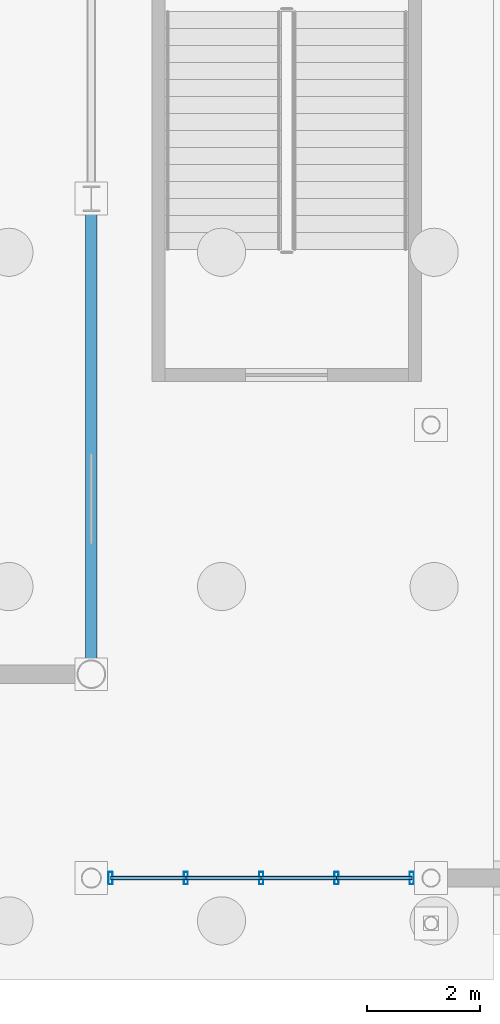
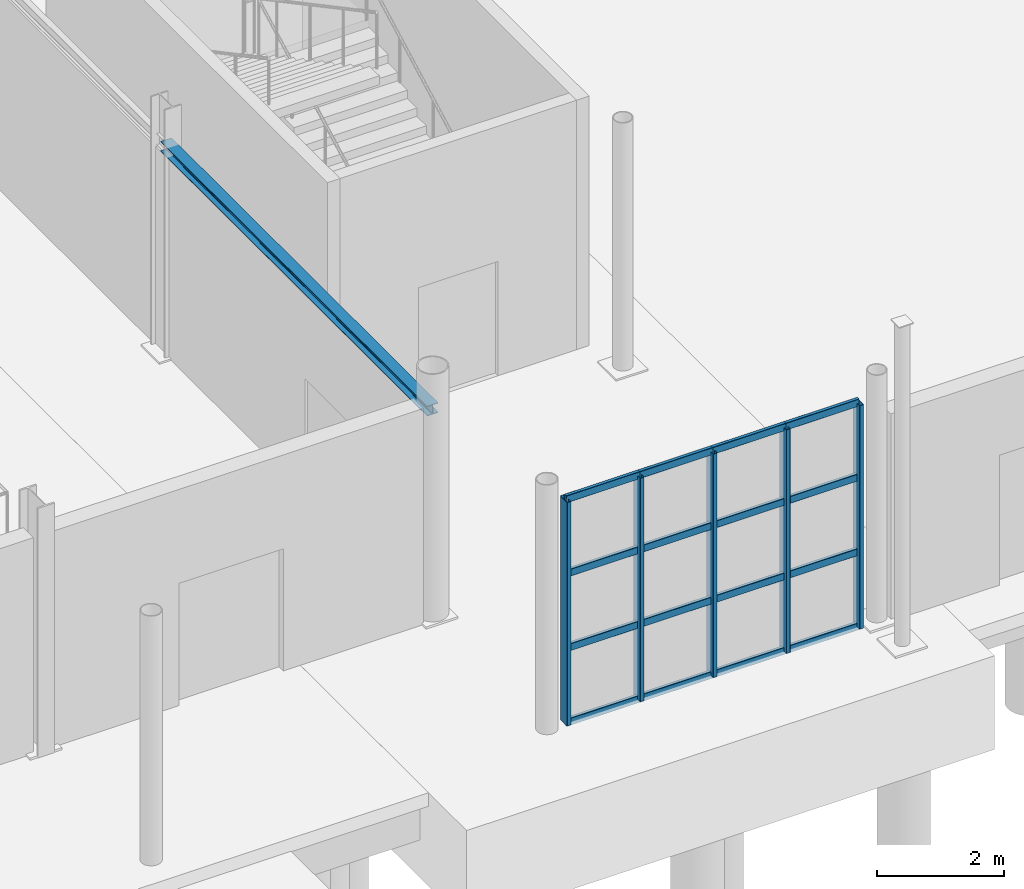
# One storey, part 31 of 101: 21 members, 1 beam, 1 element without a shape of its own.
"""IFC4 building model written with IfcOpenShell, lengths in metres."""

from ifc_helpers import new_model, si_unit, derived_unit, direction, frame, origin, origin_2d, place, context, subcontext, project, spatial, hollow_rectangle, i_section, extrude, material, material_profile, profile_set, type_object, element, aggregate, save


model = new_model("IFC4")

# Units and contexts
model_context = context("Model", 3, precision=1e-05, world=origin(), true_north=direction((0.0, 1.0)))
body_context = subcontext(model_context, "Body", "Model", "MODEL_VIEW")
ifc_project = project(units=[si_unit("LENGTHUNIT", "METRE"), si_unit("AREAUNIT", "SQUARE_METRE"), si_unit("VOLUMEUNIT", "CUBIC_METRE"), si_unit("PLANEANGLEUNIT", "RADIAN"), si_unit("MASSUNIT", "GRAM", prefix="KILO"), derived_unit("THERMALTRANSMITTANCEUNIT", [(si_unit("POWERUNIT", "WATT"), 1), (si_unit("LENGTHUNIT", "METRE"), -2), (si_unit("THERMODYNAMICTEMPERATUREUNIT", "KELVIN"), -1)])], contexts=[model_context])

# Site, building, storey
site_placement = place(None, origin())
site = spatial("IfcSite", under=ifc_project, at=site_placement, CompositionType="ELEMENT")
building_placement = place(site_placement, origin())
building = spatial("IfcBuilding", under=site, at=building_placement, Name="Keldorne Ridge Multi-Sports Centre", CompositionType="ELEMENT")
storey_placement = place(building_placement, origin())
storey = spatial("IfcBuildingStorey", under=building, at=storey_placement, Name="L00", CompositionType="ELEMENT", Elevation=0.0)

# Beam
ifc_material_1 = material(Name="Steel S355", Category="steel")
ifc_material_profile_1 = material_profile(ifc_material_1, i_section(OverallWidth=0.199951171875, OverallDepth=0.18994140625, WebThickness=0.006591796875, FlangeThickness=0.010009765625, FilletRadius=0.01806640625, at=origin_2d()), Name="HEA 200")
ifc_profile_set_1 = profile_set([ifc_material_profile_1], Name="Steel S355")
beam_type = type_object("IfcBeamType", Name="BM-LN-01", PredefinedType="LINTEL", material=ifc_profile_set_1)
beam_placement = place(storey_placement, frame((78.0, 9.60009765625, 3.949951171875), z_axis=(0.0, 1.0, 0.0), x_axis=(-1.0, 0.0, 0.0)))
element("IfcBeam", 1, at=beam_placement, inside=storey, type_object=beam_type, Name="Opening head lintel beam LNT-01", PredefinedType="LINTEL", context=body_context, shape_type="SweptSolid", body=[
    extrude(i_section(OverallWidth=0.199951171875, OverallDepth=0.18994140625, WebThickness=0.006591796875, FlangeThickness=0.010009765625, FilletRadius=0.01806640625, at=origin_2d()), origin(), (0.0, 0.0, 1.0), 8.39990234375),
])

# Curtain wall, members
ifc_material_2 = material(Name="Anodized aluminium", Category="aluminium")
curtain_wall_type = type_object("IfcCurtainWallType", Name="CW-CW-01", PredefinedType="NOTDEFINED", material=ifc_material_2)
curtain_wall_placement = place(storey_placement, origin())
curtain_wall = element("IfcCurtainWall", 2, at=curtain_wall_placement, inside=storey, type_object=curtain_wall_type, Name="Public Passage S foyer glazing 073", PredefinedType="NOTDEFINED")
ifc_material_profile_2 = material_profile(ifc_material_2, hollow_rectangle(XDim=0.074951171875, YDim=0.219970703125, WallThickness=0.0048828125, InnerFilletRadius=0.0048828125, OuterFilletRadius=0.010009765625, at=origin_2d()), Name="ALU MULLION 220x75x5")
ifc_profile_set_2 = profile_set([ifc_material_profile_2], Name="Anodized aluminium")
member_type_1 = type_object("IfcMemberType", Name="MEM-ML-02", PredefinedType="MULLION", material=ifc_profile_set_2)
member_1_placement = place(storey_placement, frame((78.340087890625, 6.0, 0.0), z_axis=(0.0, 0.0, 1.0), x_axis=(1.0, 0.0, 0.0)))
member_1 = element("IfcMember", 3, at=member_1_placement, type_object=member_type_1, Name="CW-073 vertical mullion 1", PredefinedType="MULLION", context=body_context, shape_type="SweptSolid", body=[
    extrude(hollow_rectangle(XDim=0.074951171875, YDim=0.219970703125, WallThickness=0.0048828125, InnerFilletRadius=0.0048828125, OuterFilletRadius=0.010009765625, at=origin_2d()), origin(), (0.0, 0.0, 1.0), 4.300048828125),
])
member_2_placement = place(storey_placement, frame((79.669921875, 6.0, 0.0), z_axis=(0.0, 0.0, 1.0), x_axis=(1.0, 0.0, 0.0)))
member_2 = element("IfcMember", 4, at=member_2_placement, type_object=member_type_1, Name="CW-073 vertical mullion 2", PredefinedType="MULLION", context=body_context, shape_type="SweptSolid", body=[
    extrude(hollow_rectangle(XDim=0.074951171875, YDim=0.219970703125, WallThickness=0.0048828125, InnerFilletRadius=0.0048828125, OuterFilletRadius=0.010009765625, at=origin_2d()), origin(), (0.0, 0.0, 1.0), 4.300048828125),
])
member_3_placement = place(storey_placement, frame((81.0, 6.0, 0.0), z_axis=(0.0, 0.0, 1.0), x_axis=(1.0, 0.0, 0.0)))
member_3 = element("IfcMember", 5, at=member_3_placement, type_object=member_type_1, Name="CW-073 vertical mullion 3", PredefinedType="MULLION", context=body_context, shape_type="SweptSolid", body=[
    extrude(hollow_rectangle(XDim=0.074951171875, YDim=0.219970703125, WallThickness=0.0048828125, InnerFilletRadius=0.0048828125, OuterFilletRadius=0.010009765625, at=origin_2d()), origin(), (0.0, 0.0, 1.0), 4.300048828125),
])
member_4_placement = place(storey_placement, frame((82.330078125, 6.0, 0.0), z_axis=(0.0, 0.0, 1.0), x_axis=(1.0, 0.0, 0.0)))
member_4 = element("IfcMember", 6, at=member_4_placement, type_object=member_type_1, Name="CW-073 vertical mullion 4", PredefinedType="MULLION", context=body_context, shape_type="SweptSolid", body=[
    extrude(hollow_rectangle(XDim=0.074951171875, YDim=0.219970703125, WallThickness=0.0048828125, InnerFilletRadius=0.0048828125, OuterFilletRadius=0.010009765625, at=origin_2d()), origin(), (0.0, 0.0, 1.0), 4.300048828125),
])
member_5_placement = place(storey_placement, frame((83.659912109375, 6.0, 0.0), z_axis=(0.0, 0.0, 1.0), x_axis=(1.0, 0.0, 0.0)))
member_5 = element("IfcMember", 7, at=member_5_placement, type_object=member_type_1, Name="CW-073 vertical mullion 5", PredefinedType="MULLION", context=body_context, shape_type="SweptSolid", body=[
    extrude(hollow_rectangle(XDim=0.074951171875, YDim=0.219970703125, WallThickness=0.0048828125, InnerFilletRadius=0.0048828125, OuterFilletRadius=0.010009765625, at=origin_2d()), origin(), (0.0, 0.0, 1.0), 4.300048828125),
])
ifc_material_profile_3 = material_profile(ifc_material_2, hollow_rectangle(XDim=0.06494140625, YDim=0.139892578125, WallThickness=0.00439453125, InnerFilletRadius=0.00439453125, OuterFilletRadius=0.009033203125, at=origin_2d()), Name="ALU TRANSOM 140x65x4.5")
ifc_profile_set_3 = profile_set([ifc_material_profile_3], Name="Anodized aluminium")
member_type_2 = type_object("IfcMemberType", Name="MEM-TR-01", PredefinedType="USERDEFINED", material=ifc_profile_set_3)
member_6_placement = place(storey_placement, frame((78.340087890625, 6.0, 0.0), z_axis=(1.0, 0.0, 0.0), x_axis=(0.0, 1.0, 0.0)))
member_6 = element("IfcMember", 8, at=member_6_placement, type_object=member_type_2, Name="CW-073 transom 1.1", ObjectType="TRANSOM", PredefinedType="USERDEFINED", context=body_context, shape_type="SweptSolid", body=[
    extrude(hollow_rectangle(XDim=0.06494140625, YDim=0.139892578125, WallThickness=0.00439453125, InnerFilletRadius=0.00439453125, OuterFilletRadius=0.009033203125, at=origin_2d()), origin(), (0.0, 0.0, 1.0), 1.329833984375),
])
member_7_placement = place(storey_placement, frame((78.340087890625, 6.0, 1.433349609375), z_axis=(1.0, 0.0, 0.0), x_axis=(0.0, 1.0, 0.0)))
member_7 = element("IfcMember", 9, at=member_7_placement, type_object=member_type_2, Name="CW-073 transom 1.2", ObjectType="TRANSOM", PredefinedType="USERDEFINED", context=body_context, shape_type="SweptSolid", body=[
    extrude(hollow_rectangle(XDim=0.06494140625, YDim=0.139892578125, WallThickness=0.00439453125, InnerFilletRadius=0.00439453125, OuterFilletRadius=0.009033203125, at=origin_2d()), origin(), (0.0, 0.0, 1.0), 1.329833984375),
])
member_8_placement = place(storey_placement, frame((78.340087890625, 6.0, 2.86669921875), z_axis=(1.0, 0.0, 0.0), x_axis=(0.0, 1.0, 0.0)))
member_8 = element("IfcMember", 10, at=member_8_placement, type_object=member_type_2, Name="CW-073 transom 1.3", ObjectType="TRANSOM", PredefinedType="USERDEFINED", context=body_context, shape_type="SweptSolid", body=[
    extrude(hollow_rectangle(XDim=0.06494140625, YDim=0.139892578125, WallThickness=0.00439453125, InnerFilletRadius=0.00439453125, OuterFilletRadius=0.009033203125, at=origin_2d()), origin(), (0.0, 0.0, 1.0), 1.329833984375),
])
member_9_placement = place(storey_placement, frame((78.340087890625, 6.0, 4.300048828125), z_axis=(1.0, 0.0, 0.0), x_axis=(0.0, 1.0, 0.0)))
member_9 = element("IfcMember", 11, at=member_9_placement, type_object=member_type_2, Name="CW-073 transom 1.4", ObjectType="TRANSOM", PredefinedType="USERDEFINED", context=body_context, shape_type="SweptSolid", body=[
    extrude(hollow_rectangle(XDim=0.06494140625, YDim=0.139892578125, WallThickness=0.00439453125, InnerFilletRadius=0.00439453125, OuterFilletRadius=0.009033203125, at=origin_2d()), origin(), (0.0, 0.0, 1.0), 1.329833984375),
])
member_10_placement = place(storey_placement, frame((79.669921875, 6.0, 0.0), z_axis=(1.0, 0.0, 0.0), x_axis=(0.0, 1.0, 0.0)))
member_10 = element("IfcMember", 12, at=member_10_placement, type_object=member_type_2, Name="CW-073 transom 2.1", ObjectType="TRANSOM", PredefinedType="USERDEFINED", context=body_context, shape_type="SweptSolid", body=[
    extrude(hollow_rectangle(XDim=0.06494140625, YDim=0.139892578125, WallThickness=0.00439453125, InnerFilletRadius=0.00439453125, OuterFilletRadius=0.009033203125, at=origin_2d()), origin(), (0.0, 0.0, 1.0), 1.330078125),
])
member_11_placement = place(storey_placement, frame((79.669921875, 6.0, 1.433349609375), z_axis=(1.0, 0.0, 0.0), x_axis=(0.0, 1.0, 0.0)))
member_11 = element("IfcMember", 13, at=member_11_placement, type_object=member_type_2, Name="CW-073 transom 2.2", ObjectType="TRANSOM", PredefinedType="USERDEFINED", context=body_context, shape_type="SweptSolid", body=[
    extrude(hollow_rectangle(XDim=0.06494140625, YDim=0.139892578125, WallThickness=0.00439453125, InnerFilletRadius=0.00439453125, OuterFilletRadius=0.009033203125, at=origin_2d()), origin(), (0.0, 0.0, 1.0), 1.330078125),
])
member_12_placement = place(storey_placement, frame((79.669921875, 6.0, 2.86669921875), z_axis=(1.0, 0.0, 0.0), x_axis=(0.0, 1.0, 0.0)))
member_12 = element("IfcMember", 14, at=member_12_placement, type_object=member_type_2, Name="CW-073 transom 2.3", ObjectType="TRANSOM", PredefinedType="USERDEFINED", context=body_context, shape_type="SweptSolid", body=[
    extrude(hollow_rectangle(XDim=0.06494140625, YDim=0.139892578125, WallThickness=0.00439453125, InnerFilletRadius=0.00439453125, OuterFilletRadius=0.009033203125, at=origin_2d()), origin(), (0.0, 0.0, 1.0), 1.330078125),
])
member_13_placement = place(storey_placement, frame((79.669921875, 6.0, 4.300048828125), z_axis=(1.0, 0.0, 0.0), x_axis=(0.0, 1.0, 0.0)))
member_13 = element("IfcMember", 15, at=member_13_placement, type_object=member_type_2, Name="CW-073 transom 2.4", ObjectType="TRANSOM", PredefinedType="USERDEFINED", context=body_context, shape_type="SweptSolid", body=[
    extrude(hollow_rectangle(XDim=0.06494140625, YDim=0.139892578125, WallThickness=0.00439453125, InnerFilletRadius=0.00439453125, OuterFilletRadius=0.009033203125, at=origin_2d()), origin(), (0.0, 0.0, 1.0), 1.330078125),
])
member_14_placement = place(storey_placement, frame((81.0, 6.0, 0.0), z_axis=(1.0, 0.0, 0.0), x_axis=(0.0, 1.0, 0.0)))
member_14 = element("IfcMember", 16, at=member_14_placement, type_object=member_type_2, Name="CW-073 transom 3.1", ObjectType="TRANSOM", PredefinedType="USERDEFINED", context=body_context, shape_type="SweptSolid", body=[
    extrude(hollow_rectangle(XDim=0.06494140625, YDim=0.139892578125, WallThickness=0.00439453125, InnerFilletRadius=0.00439453125, OuterFilletRadius=0.009033203125, at=origin_2d()), origin(), (0.0, 0.0, 1.0), 1.330078125),
])
member_15_placement = place(storey_placement, frame((81.0, 6.0, 1.433349609375), z_axis=(1.0, 0.0, 0.0), x_axis=(0.0, 1.0, 0.0)))
member_15 = element("IfcMember", 17, at=member_15_placement, type_object=member_type_2, Name="CW-073 transom 3.2", ObjectType="TRANSOM", PredefinedType="USERDEFINED", context=body_context, shape_type="SweptSolid", body=[
    extrude(hollow_rectangle(XDim=0.06494140625, YDim=0.139892578125, WallThickness=0.00439453125, InnerFilletRadius=0.00439453125, OuterFilletRadius=0.009033203125, at=origin_2d()), origin(), (0.0, 0.0, 1.0), 1.330078125),
])
member_16_placement = place(storey_placement, frame((81.0, 6.0, 2.86669921875), z_axis=(1.0, 0.0, 0.0), x_axis=(0.0, 1.0, 0.0)))
member_16 = element("IfcMember", 18, at=member_16_placement, type_object=member_type_2, Name="CW-073 transom 3.3", ObjectType="TRANSOM", PredefinedType="USERDEFINED", context=body_context, shape_type="SweptSolid", body=[
    extrude(hollow_rectangle(XDim=0.06494140625, YDim=0.139892578125, WallThickness=0.00439453125, InnerFilletRadius=0.00439453125, OuterFilletRadius=0.009033203125, at=origin_2d()), origin(), (0.0, 0.0, 1.0), 1.330078125),
])
member_17_placement = place(storey_placement, frame((81.0, 6.0, 4.300048828125), z_axis=(1.0, 0.0, 0.0), x_axis=(0.0, 1.0, 0.0)))
member_17 = element("IfcMember", 19, at=member_17_placement, type_object=member_type_2, Name="CW-073 transom 3.4", ObjectType="TRANSOM", PredefinedType="USERDEFINED", context=body_context, shape_type="SweptSolid", body=[
    extrude(hollow_rectangle(XDim=0.06494140625, YDim=0.139892578125, WallThickness=0.00439453125, InnerFilletRadius=0.00439453125, OuterFilletRadius=0.009033203125, at=origin_2d()), origin(), (0.0, 0.0, 1.0), 1.330078125),
])
member_18_placement = place(storey_placement, frame((82.330078125, 6.0, 0.0), z_axis=(1.0, 0.0, 0.0), x_axis=(0.0, 1.0, 0.0)))
member_18 = element("IfcMember", 20, at=member_18_placement, type_object=member_type_2, Name="CW-073 transom 4.1", ObjectType="TRANSOM", PredefinedType="USERDEFINED", context=body_context, shape_type="SweptSolid", body=[
    extrude(hollow_rectangle(XDim=0.06494140625, YDim=0.139892578125, WallThickness=0.00439453125, InnerFilletRadius=0.00439453125, OuterFilletRadius=0.009033203125, at=origin_2d()), origin(), (0.0, 0.0, 1.0), 1.329833984375),
])
member_19_placement = place(storey_placement, frame((82.330078125, 6.0, 1.433349609375), z_axis=(1.0, 0.0, 0.0), x_axis=(0.0, 1.0, 0.0)))
member_19 = element("IfcMember", 21, at=member_19_placement, type_object=member_type_2, Name="CW-073 transom 4.2", ObjectType="TRANSOM", PredefinedType="USERDEFINED", context=body_context, shape_type="SweptSolid", body=[
    extrude(hollow_rectangle(XDim=0.06494140625, YDim=0.139892578125, WallThickness=0.00439453125, InnerFilletRadius=0.00439453125, OuterFilletRadius=0.009033203125, at=origin_2d()), origin(), (0.0, 0.0, 1.0), 1.329833984375),
])
member_20_placement = place(storey_placement, frame((82.330078125, 6.0, 2.86669921875), z_axis=(1.0, 0.0, 0.0), x_axis=(0.0, 1.0, 0.0)))
member_20 = element("IfcMember", 22, at=member_20_placement, type_object=member_type_2, Name="CW-073 transom 4.3", ObjectType="TRANSOM", PredefinedType="USERDEFINED", context=body_context, shape_type="SweptSolid", body=[
    extrude(hollow_rectangle(XDim=0.06494140625, YDim=0.139892578125, WallThickness=0.00439453125, InnerFilletRadius=0.00439453125, OuterFilletRadius=0.009033203125, at=origin_2d()), origin(), (0.0, 0.0, 1.0), 1.329833984375),
])
member_21_placement = place(storey_placement, frame((82.330078125, 6.0, 4.300048828125), z_axis=(1.0, 0.0, 0.0), x_axis=(0.0, 1.0, 0.0)))
member_21 = element("IfcMember", 23, at=member_21_placement, type_object=member_type_2, Name="CW-073 transom 4.4", ObjectType="TRANSOM", PredefinedType="USERDEFINED", context=body_context, shape_type="SweptSolid", body=[
    extrude(hollow_rectangle(XDim=0.06494140625, YDim=0.139892578125, WallThickness=0.00439453125, InnerFilletRadius=0.00439453125, OuterFilletRadius=0.009033203125, at=origin_2d()), origin(), (0.0, 0.0, 1.0), 1.329833984375),
])
aggregate(curtain_wall, [member_1, member_2, member_3, member_4, member_5, member_6, member_7, member_8, member_9, member_10, member_11, member_12, member_13, member_14, member_15, member_16, member_17, member_18, member_19, member_20, member_21])

save(model, "model.ifc")
